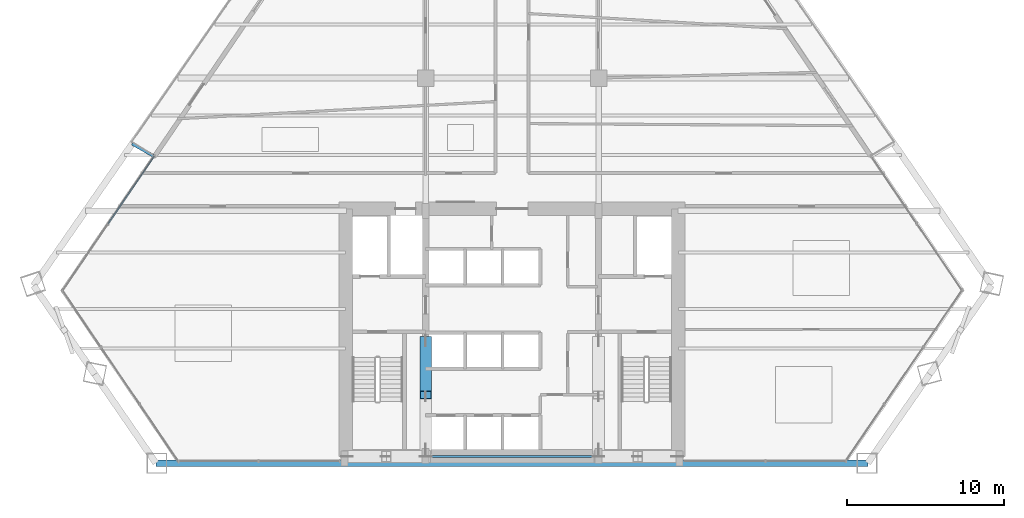
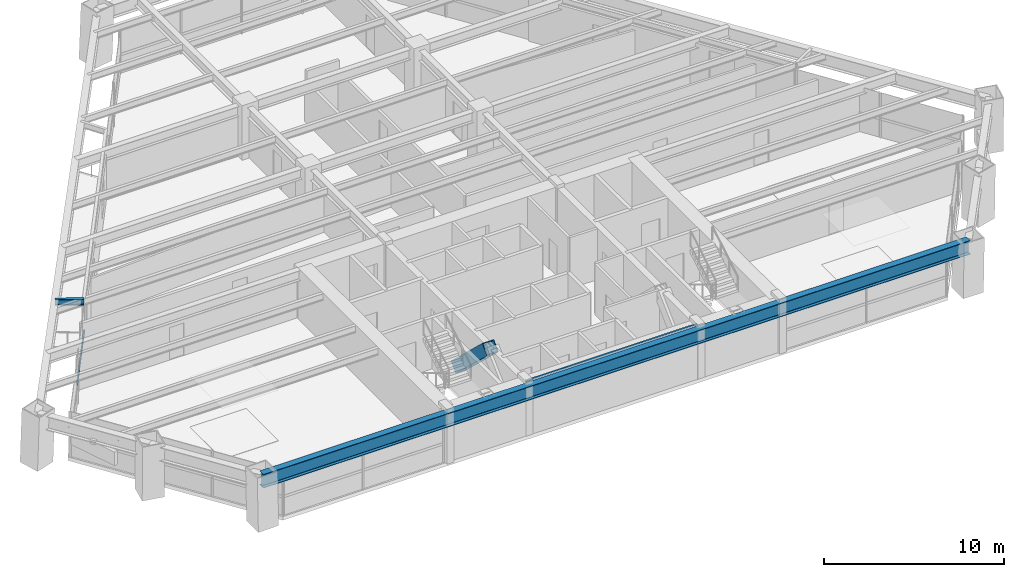
# One storey, part 3 of 14: 3 beams, 2 members, 1 element without a shape of its own.
"""IFC4 building model written with IfcOpenShell, lengths in metres."""

from ifc_helpers import new_model, si_unit, direction, frame, origin, origin_2d, place, context, subcontext, project, spatial, rectangle, hollow_rectangle, i_section, extrude, source, transform, mapped, material, material_profile, profile_set, type_object, type_shapes, element, aggregate, save


model = new_model("IFC4")

# Units and contexts
model_context = context("Model", 3, precision=1e-05, world=origin(), true_north=direction((0.0, 1.0)))
body_context = subcontext(model_context, "Body", "Model", "MODEL_VIEW")
ifc_project = project(units=[si_unit("LENGTHUNIT", "METRE"), si_unit("AREAUNIT", "SQUARE_METRE"), si_unit("VOLUMEUNIT", "CUBIC_METRE"), si_unit("PLANEANGLEUNIT", "RADIAN"), si_unit("MASSUNIT", "GRAM", prefix="KILO")], contexts=[model_context])

# Site, building, storey
site_placement = place(None, origin())
site = spatial("IfcSite", under=ifc_project, at=site_placement, CompositionType="ELEMENT")
building_placement = place(site_placement, origin())
building = spatial("IfcBuilding", under=site, at=building_placement, Name="Varnakhor Terracotta Tower", CompositionType="ELEMENT")
storey_placement = place(building_placement, frame((0.0, 0.0, 34.89990234375)))
storey = spatial("IfcBuildingStorey", under=building, at=storey_placement, Name="L07", CompositionType="ELEMENT", Elevation=34.89990234375)

# Beam
ifc_material_1 = material(Name="Steel S355", Category="steel")
ifc_material_profile_1 = material_profile(ifc_material_1, i_section(OverallWidth=0.1201171875, OverallDepth=0.239990234375, WebThickness=0.006103515625, FlangeThickness=0.009765625, FilletRadius=0.01806640625, at=origin_2d()), Name="IPE240")
ifc_profile_set_1 = profile_set([ifc_material_profile_1], Name="Steel S355")
beam_type_1 = type_object("IfcBeamType", Name="LNT-IPE240", PredefinedType="LINTEL", material=ifc_profile_set_1)
shared_shape_1 = source(origin(), body_context, "Body", "SweptSolid", [
    extrude(i_section(OverallWidth=0.1201171875, OverallDepth=0.239990234375, WebThickness=0.006103515625, FlangeThickness=0.009765625, FilletRadius=0.01806640625, at=origin_2d()), origin(), (0.0, 0.0, 1.0), 11.0),
])
type_shapes(beam_type_1, [shared_shape_1])
beam_1_placement = place(storey_placement, frame((-5.5, 0.419921875, 3.330078125), z_axis=(1.0, 0.0, 0.0), x_axis=(0.0, 1.0, 0.0)))
element("IfcBeam", 1, at=beam_1_placement, inside=storey, type_object=beam_type_1, Name="L07 Core South Coupling Lintel", PredefinedType="LINTEL", context=body_context, shape_type="MappedRepresentation", body=[
    mapped(shared_shape_1, transform((0.0, 0.0, 0.0), scale=1.0)),
])

# Member
ifc_material_2 = material(Name="Steel S460", Category="steel")
ifc_material_profile_2 = material_profile(ifc_material_2, hollow_rectangle(XDim=0.75, YDim=0.75, WallThickness=0.044921875, at=origin_2d()), Name="HSS750X750X45")
ifc_profile_set_2 = profile_set([ifc_material_profile_2], Name="Steel S460")
member_type_1 = type_object("IfcMemberType", Name="MBR-MEGA-750", PredefinedType="BRACE", material=ifc_profile_set_2)
shared_shape_2 = source(origin(), body_context, "Body", "SweptSolid", [
    extrude(hollow_rectangle(XDim=0.75, YDim=0.75, WallThickness=0.044921875, at=origin_2d()), origin(), (0.0, 0.0, 1.0), 4.792236328125),
])
member_1_placement = place(storey_placement, frame((-5.5, 7.800048828125, 0.0), z_axis=(0.0, -0.72513424341, 0.688607529028), x_axis=(1.0, 0.0, 0.0)))
element("IfcMember", 2, at=member_1_placement, inside=storey, type_object=member_type_1, Name="L07 Core Coupled Brace CWWB", PredefinedType="BRACE", context=body_context, shape_type="MappedRepresentation", body=[
    mapped(shared_shape_2, transform((0.0, 0.0, 0.0), scale=1.0)),
])

# Beam
ifc_material_profile_3 = material_profile(ifc_material_1, i_section(OverallWidth=0.41796875, OverallDepth=0.927001953125, WebThickness=0.01904296875, FlangeThickness=0.031982421875, FilletRadius=0.01806640625, at=origin_2d()), Name="W36X231")
ifc_profile_set_3 = profile_set([ifc_material_profile_3], Name="Steel S355")
beam_type_2 = type_object("IfcBeamType", Name="BM-W36X231", PredefinedType="BEAM", material=ifc_profile_set_3)
shared_shape_3 = source(origin(), body_context, "Body", "SweptSolid", [
    extrude(i_section(OverallWidth=0.41796875, OverallDepth=0.927001953125, WebThickness=0.01904296875, FlangeThickness=0.031982421875, FilletRadius=0.01806640625, at=origin_2d()), origin(), (0.0, 0.0, 1.0), 45.29296875),
])
beam_2_placement = place(storey_placement, frame((-22.6611328125, 0.0, 2.986572265625), z_axis=(1.0, 0.0, 0.0), x_axis=(0.0, 1.0, 0.0)))
element("IfcBeam", 3, at=beam_2_placement, inside=storey, type_object=beam_type_2, Name="L07 Perimeter Spandrel 1", PredefinedType="BEAM", context=body_context, shape_type="MappedRepresentation", body=[
    mapped(shared_shape_3, transform((0.0, 0.0, 0.0), scale=1.0)),
])

# Curtain wall, member
ifc_material_3 = material(Name="Anodised Aluminium Curtain Wall System", Category="aluminium")
curtain_wall_type = type_object("IfcCurtainWallType", Name="CW-SYS-LOW-OFFICE", PredefinedType="NOTDEFINED", material=ifc_material_3)
curtain_wall_placement = place(storey_placement, origin())
curtain_wall = element("IfcCurtainWall", 4, at=curtain_wall_placement, inside=storey, type_object=curtain_wall_type, Name="L07 W Facet Curtain Wall 1", PredefinedType="NOTDEFINED")
ifc_material_4 = material(Name="Anodised Aluminium 6063-T6", Category="aluminium")
ifc_material_profile_4 = material_profile(ifc_material_4, rectangle(XDim=0.074951171875, YDim=0.1650390625, at=origin_2d()), Name="ALU TRANSOM 75x165")
ifc_profile_set_4 = profile_set([ifc_material_profile_4], Name="Anodised Aluminium 6063-T6")
member_type_2 = type_object("IfcMemberType", Name="CWT-02", PredefinedType="USERDEFINED", material=ifc_profile_set_4)
shared_shape_4 = source(origin(), body_context, "Body", "SweptSolid", [
    extrude(rectangle(XDim=0.074951171875, YDim=0.1650390625, at=origin_2d()), origin(), (0.0, 0.0, 1.0), 5.19140625),
])
member_2_placement = place(storey_placement, frame((-25.6982421875, 15.225341796875, 1.272705078125), z_axis=(0.563395193647, 0.826187542738, 0.0), x_axis=(-0.826187542738, 0.563395193647, 0.0)))
member_2 = element("IfcMember", 5, at=member_2_placement, type_object=member_type_2, Name="L07 W Facet Curtain Wall 1 Transom 2", ObjectType="TRANSOM", PredefinedType="USERDEFINED", context=body_context, shape_type="MappedRepresentation", body=[
    mapped(shared_shape_4, transform((0.0, 0.0, 0.0), scale=1.0)),
])
aggregate(curtain_wall, [member_2])

# Beam
ifc_material_profile_5 = material_profile(ifc_material_1, i_section(OverallWidth=0.179931640625, OverallDepth=0.39990234375, WebThickness=0.008544921875, FlangeThickness=0.013427734375, FilletRadius=0.01806640625, at=origin_2d()), Name="IPE400")
ifc_profile_set_5 = profile_set([ifc_material_profile_5], Name="Steel S355")
beam_type_3 = type_object("IfcBeamType", Name="JST-IPE400", PredefinedType="JOIST", material=ifc_profile_set_5)
shared_shape_5 = source(origin(), body_context, "Body", "SweptSolid", [
    extrude(i_section(OverallWidth=0.179931640625, OverallDepth=0.39990234375, WebThickness=0.008544921875, FlangeThickness=0.013427734375, FilletRadius=0.01806640625, at=origin_2d()), origin(), (0.0, 0.0, 1.0), 1.600341796875),
])
beam_3_placement = place(storey_placement, frame((-22.77880859375, 19.523681640625, 3.25), z_axis=(-0.869900008091, 0.493228117531, 0.0), x_axis=(-0.493228117531, -0.869900008091, 0.0)))
element("IfcBeam", 6, at=beam_3_placement, inside=storey, type_object=beam_type_3, Name="L08 W Loggia Tie Beam 1", PredefinedType="JOIST", context=body_context, shape_type="MappedRepresentation", body=[
    mapped(shared_shape_5, transform((0.0, 0.0, 0.0), scale=1.0)),
])

save(model, "model.ifc")
